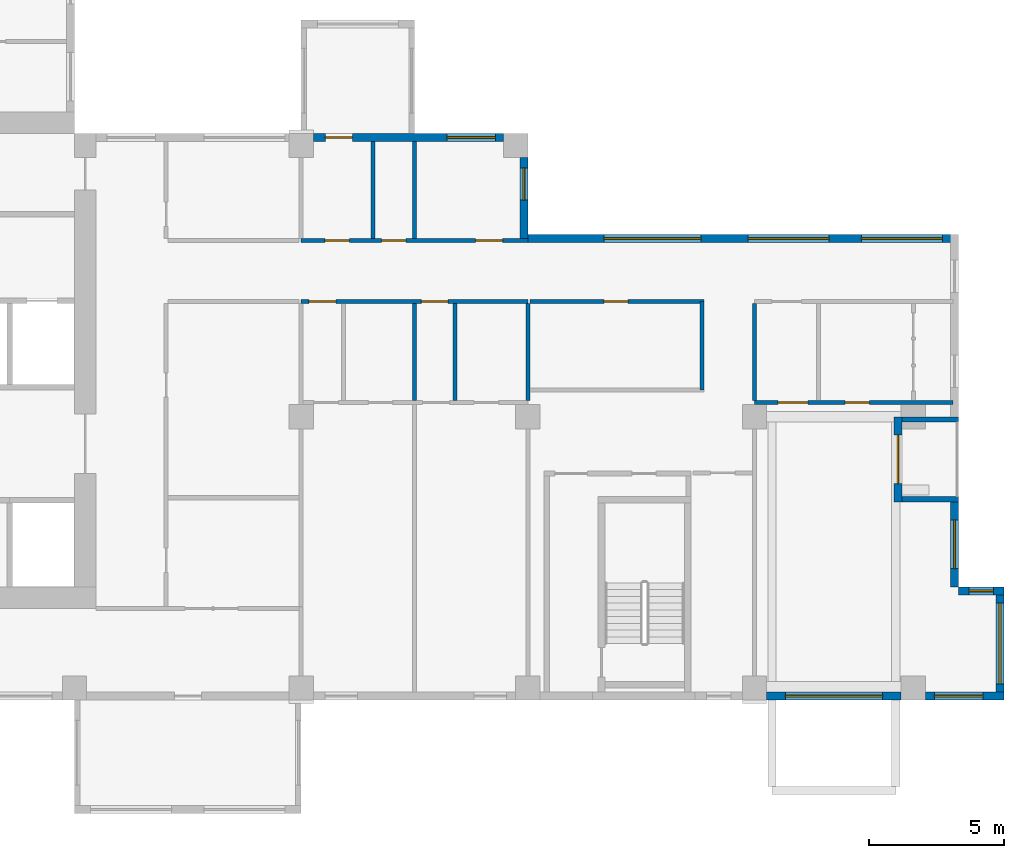
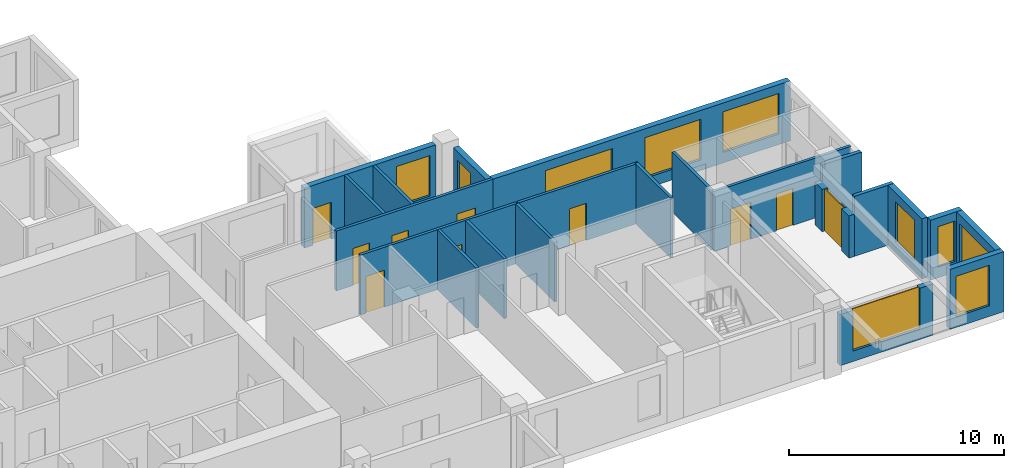
# One storey, part 5 of 12: 22 walls, 10 doors, 10 windows, 20 openings.
"""IFC4 building model written with IfcOpenShell, lengths in metres."""

from ifc_helpers import new_model, si_unit, direction, frame, frame_2d, origin, place, context, subcontext, project, spatial, rectangle, extrude, source, transform, mapped, material, layer, layer_set, type_object, element, fill, save


model = new_model("IFC4")

# Units and contexts
model_context = context("Model", 3, precision=1e-05, world=origin(), true_north=direction((0.0, 1.0)))
body_context = subcontext(model_context, "Body", "Model", "MODEL_VIEW")
ifc_project = project(units=[si_unit("LENGTHUNIT", "METRE"), si_unit("AREAUNIT", "SQUARE_METRE"), si_unit("VOLUMEUNIT", "CUBIC_METRE"), si_unit("PLANEANGLEUNIT", "RADIAN"), si_unit("MASSUNIT", "GRAM", prefix="KILO")], contexts=[model_context])

# Site, building, storey
site_placement = place(None, origin())
site = spatial("IfcSite", under=ifc_project, at=site_placement, CompositionType="ELEMENT")
building_placement = place(site_placement, origin())
building = spatial("IfcBuilding", under=site, at=building_placement, Name="Aurelian Terraces", CompositionType="ELEMENT")
storey_placement = place(building_placement, frame((0.0, 0.0, 219.6)))
storey = spatial("IfcBuildingStorey", under=building, at=storey_placement, Name="L49", CompositionType="ELEMENT", Elevation=219.6)

# Wall, opening, door
ifc_material_1 = material(Name="Terracotta rainscreen cladding", Category="masonry")
ifc_layer_1 = layer(ifc_material_1, 0.3)
ifc_layer_set_1 = layer_set([ifc_layer_1], Name="EW-300")
wall_type_1 = type_object("IfcWallType", Name="EW-300", PredefinedType="STANDARD", material=ifc_layer_set_1)
wall_1_placement = place(storey_placement, frame((51.51, 7.35, 0.0), z_axis=(0.0, 0.0, 1.0), x_axis=(0.0, 1.0, 0.0)))
wall_1 = element("IfcWall", 1, at=wall_1_placement, inside=storey, type_object=wall_type_1, Name="Loggia wall L49 F04.11", PredefinedType="STANDARD", context=body_context, shape_type="SweptSolid", body=[
    extrude(rectangle(XDim=3.15, YDim=0.3, at=frame_2d((1.575, 0.0))), origin(), (0.0, 0.0, 1.0), 2.4),
])
shared_shape_1 = source(origin(), body_context, "Body", "SweptSolid", [
    extrude(rectangle(XDim=1.8, YDim=2.4, at=frame_2d((0.9, 1.2))), frame((0.0, 0.16, 0.0), z_axis=(0.0, -1.0, 0.0), x_axis=(1.0, 0.0, 0.0)), (0.0, 0.0, 1.0), 0.32),
])
opening_1_placement = place(wall_1_placement, frame((0.675, 0.0, 0.0)))
opening_1 = element("IfcOpeningElement", 2, at=opening_1_placement, cuts=wall_1, Name="Opening 84901", PredefinedType="OPENING", context=body_context, shape_type="MappedRepresentation", body=[
    mapped(shared_shape_1, transform((0.0, 0.0, 0.0), scale=1.0)),
])
ifc_material_2 = material(Name="Clear glazing", Category="glass")
door_type_1 = type_object("IfcDoorType", Name="BD-1800x2400", OperationType="SLIDING_TO_LEFT", PredefinedType="DOOR", material=ifc_material_2)
shared_shape_2 = source(origin(), body_context, "Body", "SweptSolid", [
    extrude(rectangle(XDim=1.8, YDim=2.4, at=frame_2d((0.9, 1.2))), frame((0.0, 0.025, 0.0), z_axis=(0.0, -1.0, 0.0), x_axis=(1.0, 0.0, 0.0)), (0.0, 0.0, 1.0), 0.05),
])
door_1_placement = place(opening_1_placement, origin())
door_1 = element("IfcDoor", 3, at=door_1_placement, inside=storey, type_object=door_type_1, Name="Balcony door L49 F04.11", OperationType="SLIDING_TO_LEFT", OverallHeight=2.4, OverallWidth=1.8, PredefinedType="DOOR", context=body_context, shape_type="MappedRepresentation", body=[
    mapped(shared_shape_2, transform((0.0, 0.0, 0.0), scale=1.0)),
])
fill(opening_1, door_1)

# Wall, opening, window
shared_shape_3 = source(origin(), body_context, "Body", "SweptSolid", [
    extrude(rectangle(XDim=2.91, YDim=0.3, at=frame_2d((1.455, 0.0))), origin(), (0.0, 0.0, 1.0), 3.4),
])
wall_2_placement = place(storey_placement, frame((52.53, 0.15, 0.0), z_axis=(0.0, 0.0, 1.0), x_axis=(1.0, 0.0, 0.0)))
wall_2 = element("IfcWall", 4, at=wall_2_placement, inside=storey, type_object=wall_type_1, Name="External wall L49 F01.7", PredefinedType="STANDARD", context=body_context, shape_type="MappedRepresentation", body=[
    mapped(shared_shape_3, transform((0.0, 0.0, 0.0), scale=1.0)),
])
shared_shape_4 = source(origin(), body_context, "Body", "SweptSolid", [
    extrude(rectangle(XDim=1.8, YDim=2.3, at=frame_2d((0.9, 1.15))), frame((0.0, 0.16, 0.0), z_axis=(0.0, -1.0, 0.0), x_axis=(1.0, 0.0, 0.0)), (0.0, 0.0, 1.0), 0.32),
])
opening_2_placement = place(wall_2_placement, frame((0.33, 0.0, 0.6)))
opening_2 = element("IfcOpeningElement", 5, at=opening_2_placement, cuts=wall_2, Name="Opening W1823", PredefinedType="OPENING", context=body_context, shape_type="MappedRepresentation", body=[
    mapped(shared_shape_4, transform((0.0, 0.0, 0.0), scale=1.0)),
])
window_type_1 = type_object("IfcWindowType", Name="W-1800x2300", PartitioningType="SINGLE_PANEL", PredefinedType="WINDOW", material=ifc_material_2)
shared_shape_5 = source(origin(), body_context, "Body", "SweptSolid", [
    extrude(rectangle(XDim=1.8, YDim=2.3, at=frame_2d((0.9, 1.15))), frame((0.0, 0.03, 0.0), z_axis=(0.0, -1.0, 0.0), x_axis=(1.0, 0.0, 0.0)), (0.0, 0.0, 1.0), 0.06),
])
window_1_placement = place(opening_2_placement, origin())
window_1 = element("IfcWindow", 6, at=window_1_placement, inside=storey, type_object=window_type_1, Name="Window L49 L49-F01-07-0", OverallHeight=2.3, OverallWidth=1.8, PartitioningType="SINGLE_PANEL", PredefinedType="WINDOW", context=body_context, shape_type="MappedRepresentation", body=[
    mapped(shared_shape_5, transform((0.0, 0.0, 0.0), scale=1.0)),
])
fill(opening_2, window_1)

shared_shape_6 = source(origin(), body_context, "Body", "SweptSolid", [
    extrude(rectangle(XDim=4.2, YDim=0.3, at=frame_2d((2.1, 0.0))), origin(), (0.0, 0.0, 1.0), 3.4),
])
wall_3_placement = place(storey_placement, frame((55.29, 0.0, 0.0), z_axis=(0.0, 0.0, 1.0), x_axis=(0.0, 1.0, 0.0)))
wall_3 = element("IfcWall", 7, at=wall_3_placement, inside=storey, type_object=wall_type_1, Name="External wall L49 F02.8", PredefinedType="STANDARD", context=body_context, shape_type="MappedRepresentation", body=[
    mapped(shared_shape_6, transform((0.0, 0.0, 0.0), scale=1.0)),
])
shared_shape_7 = source(origin(), body_context, "Body", "SweptSolid", [
    extrude(rectangle(XDim=3.0, YDim=2.3, at=frame_2d((1.5, 1.15))), frame((0.0, 0.16, 0.0), z_axis=(0.0, -1.0, 0.0), x_axis=(1.0, 0.0, 0.0)), (0.0, 0.0, 1.0), 0.32),
])
opening_3_placement = place(wall_3_placement, frame((0.6, 0.0, 0.6)))
opening_3 = element("IfcOpeningElement", 8, at=opening_3_placement, cuts=wall_3, Name="Opening W3023", PredefinedType="OPENING", context=body_context, shape_type="MappedRepresentation", body=[
    mapped(shared_shape_7, transform((0.0, 0.0, 0.0), scale=1.0)),
])
window_type_2 = type_object("IfcWindowType", Name="W-3000x2300", PartitioningType="SINGLE_PANEL", PredefinedType="WINDOW", material=ifc_material_2)
shared_shape_8 = source(origin(), body_context, "Body", "SweptSolid", [
    extrude(rectangle(XDim=3.0, YDim=2.3, at=frame_2d((1.5, 1.15))), frame((0.0, 0.03, 0.0), z_axis=(0.0, -1.0, 0.0), x_axis=(1.0, 0.0, 0.0)), (0.0, 0.0, 1.0), 0.06),
])
window_2_placement = place(opening_3_placement, origin())
window_2 = element("IfcWindow", 9, at=window_2_placement, inside=storey, type_object=window_type_2, Name="Window L49 L49-F02-08-0", OverallHeight=2.3, OverallWidth=3.0, PartitioningType="SINGLE_PANEL", PredefinedType="WINDOW", context=body_context, shape_type="MappedRepresentation", body=[
    mapped(shared_shape_8, transform((0.0, 0.0, 0.0), scale=1.0)),
])
fill(opening_3, window_2)

shared_shape_9 = source(origin(), body_context, "Body", "SweptSolid", [
    extrude(rectangle(XDim=1.68, YDim=0.3, at=frame_2d((0.84, 0.0))), origin(), (0.0, 0.0, 1.0), 3.4),
])
wall_4_placement = place(storey_placement, frame((55.44, 4.05, 0.0), z_axis=(0.0, 0.0, 1.0), x_axis=(-1.0, 0.0, 0.0)))
wall_4 = element("IfcWall", 10, at=wall_4_placement, inside=storey, type_object=wall_type_1, Name="External wall L49 F03.9", PredefinedType="STANDARD", context=body_context, shape_type="MappedRepresentation", body=[
    mapped(shared_shape_9, transform((0.0, 0.0, 0.0), scale=1.0)),
])
shared_shape_10 = source(origin(), body_context, "Body", "SweptSolid", [
    extrude(rectangle(XDim=0.9, YDim=2.3, at=frame_2d((0.45, 1.15))), frame((0.0, 0.16, 0.0), z_axis=(0.0, -1.0, 0.0), x_axis=(1.0, 0.0, 0.0)), (0.0, 0.0, 1.0), 0.32),
])
opening_4_placement = place(wall_4_placement, frame((0.39, 0.0, 0.6)))
opening_4 = element("IfcOpeningElement", 11, at=opening_4_placement, cuts=wall_4, Name="Opening W0923", PredefinedType="OPENING", context=body_context, shape_type="MappedRepresentation", body=[
    mapped(shared_shape_10, transform((0.0, 0.0, 0.0), scale=1.0)),
])
window_type_3 = type_object("IfcWindowType", Name="W-900x2300", PartitioningType="SINGLE_PANEL", PredefinedType="WINDOW", material=ifc_material_2)
shared_shape_11 = source(origin(), body_context, "Body", "SweptSolid", [
    extrude(rectangle(XDim=0.9, YDim=2.3, at=frame_2d((0.45, 1.15))), frame((0.0, 0.03, 0.0), z_axis=(0.0, -1.0, 0.0), x_axis=(1.0, 0.0, 0.0)), (0.0, 0.0, 1.0), 0.06),
])
window_3_placement = place(opening_4_placement, origin())
window_3 = element("IfcWindow", 12, at=window_3_placement, inside=storey, type_object=window_type_3, Name="Window L49 L49-F03-09-P0", OverallHeight=2.3, OverallWidth=0.9, PartitioningType="SINGLE_PANEL", PredefinedType="WINDOW", context=body_context, shape_type="MappedRepresentation", body=[
    mapped(shared_shape_11, transform((0.0, 0.0, 0.0), scale=1.0)),
])
fill(opening_4, window_3)

shared_shape_12 = source(origin(), body_context, "Body", "SweptSolid", [
    extrude(rectangle(XDim=3.0, YDim=0.3, at=frame_2d((1.5, 0.0))), origin(), (0.0, 0.0, 1.0), 3.4),
])
wall_5_placement = place(storey_placement, frame((37.65, 17.1, 0.0), z_axis=(0.0, 0.0, 1.0), x_axis=(0.0, 1.0, 0.0)))
wall_5 = element("IfcWall", 13, at=wall_5_placement, inside=storey, type_object=wall_type_1, Name="External wall L49 F06.14", PredefinedType="STANDARD", context=body_context, shape_type="MappedRepresentation", body=[
    mapped(shared_shape_12, transform((0.0, 0.0, 0.0), scale=1.0)),
])
shared_shape_13 = source(origin(), body_context, "Body", "SweptSolid", [
    extrude(rectangle(XDim=1.2, YDim=2.3, at=frame_2d((0.6, 1.15))), frame((0.0, 0.16, 0.0), z_axis=(0.0, -1.0, 0.0), x_axis=(1.0, 0.0, 0.0)), (0.0, 0.0, 1.0), 0.32),
])
opening_5_placement = place(wall_5_placement, frame((1.425, 0.0, 0.6)))
opening_5 = element("IfcOpeningElement", 14, at=opening_5_placement, cuts=wall_5, Name="Opening W1223", PredefinedType="OPENING", context=body_context, shape_type="MappedRepresentation", body=[
    mapped(shared_shape_13, transform((0.0, 0.0, 0.0), scale=1.0)),
])
window_type_4 = type_object("IfcWindowType", Name="W-1200x2300", PartitioningType="SINGLE_PANEL", PredefinedType="WINDOW", material=ifc_material_2)
shared_shape_14 = source(origin(), body_context, "Body", "SweptSolid", [
    extrude(rectangle(XDim=1.2, YDim=2.3, at=frame_2d((0.6, 1.15))), frame((0.0, 0.03, 0.0), z_axis=(0.0, -1.0, 0.0), x_axis=(1.0, 0.0, 0.0)), (0.0, 0.0, 1.0), 0.06),
])
window_4_placement = place(opening_5_placement, origin())
window_4 = element("IfcWindow", 15, at=window_4_placement, inside=storey, type_object=window_type_4, Name="Window L49 L49-F06-14-0", OverallHeight=2.3, OverallWidth=1.2, PartitioningType="SINGLE_PANEL", PredefinedType="WINDOW", context=body_context, shape_type="MappedRepresentation", body=[
    mapped(shared_shape_14, transform((0.0, 0.0, 0.0), scale=1.0)),
])
fill(opening_5, window_4)

# Wall, openings, window, door
shared_shape_15 = source(origin(), body_context, "Body", "SweptSolid", [
    extrude(rectangle(XDim=7.05, YDim=0.3, at=frame_2d((3.525, 0.0))), origin(), (0.0, 0.0, 1.0), 3.4),
])
wall_6_placement = place(storey_placement, frame((36.9, 20.85, 0.0), z_axis=(0.0, 0.0, 1.0), x_axis=(-1.0, 0.0, 0.0)))
wall_6 = element("IfcWall", 16, at=wall_6_placement, inside=storey, type_object=wall_type_1, Name="External wall L49 F07.15", PredefinedType="STANDARD", context=body_context, shape_type="MappedRepresentation", body=[
    mapped(shared_shape_15, transform((0.0, 0.0, 0.0), scale=1.0)),
])
opening_6_placement = place(wall_6_placement, frame((0.3, 0.0, 0.6)))
opening_6 = element("IfcOpeningElement", 17, at=opening_6_placement, cuts=wall_6, Name="Opening W1823", PredefinedType="OPENING", context=body_context, shape_type="MappedRepresentation", body=[
    mapped(shared_shape_4, transform((0.0, 0.0, 0.0), scale=1.0)),
])
shared_shape_16 = source(origin(), body_context, "Body", "SweptSolid", [
    extrude(rectangle(XDim=1.0, YDim=2.1, at=frame_2d((0.5, 1.05))), frame((0.0, 0.16, 0.0), z_axis=(0.0, -1.0, 0.0), x_axis=(1.0, 0.0, 0.0)), (0.0, 0.0, 1.0), 0.32),
])
opening_7_placement = place(wall_6_placement, frame((5.6, 0.0, 0.0)))
opening_7 = element("IfcOpeningElement", 18, at=opening_7_placement, cuts=wall_6, Name="Opening 849001", PredefinedType="OPENING", context=body_context, shape_type="MappedRepresentation", body=[
    mapped(shared_shape_16, transform((0.0, 0.0, 0.0), scale=1.0)),
])
window_5_placement = place(opening_6_placement, origin())
window_5 = element("IfcWindow", 19, at=window_5_placement, inside=storey, type_object=window_type_1, Name="Window L49 L49-F07-15-0", OverallHeight=2.3, OverallWidth=1.8, PartitioningType="SINGLE_PANEL", PredefinedType="WINDOW", context=body_context, shape_type="MappedRepresentation", body=[
    mapped(shared_shape_5, transform((0.0, 0.0, 0.0), scale=1.0)),
])
fill(opening_6, window_5)
ifc_material_3 = material(Name="Timber door leaf", Category="wood")
door_type_2 = type_object("IfcDoorType", Name="Room door 1000x2100 left", OperationType="SINGLE_SWING_LEFT", PredefinedType="DOOR", material=ifc_material_3)
shared_shape_17 = source(origin(), body_context, "Body", "SweptSolid", [
    extrude(rectangle(XDim=1.0, YDim=2.1, at=frame_2d((0.5, 1.05))), frame((0.0, 0.025, 0.0), z_axis=(0.0, -1.0, 0.0), x_axis=(1.0, 0.0, 0.0)), (0.0, 0.0, 1.0), 0.05),
])
door_2_placement = place(opening_7_placement, origin())
door_2 = element("IfcDoor", 20, at=door_2_placement, inside=storey, type_object=door_type_2, Name="Door 849001", OperationType="SINGLE_SWING_LEFT", OverallHeight=2.1, OverallWidth=1.0, PredefinedType="DOOR", context=body_context, shape_type="MappedRepresentation", body=[
    mapped(shared_shape_17, transform((0.0, 0.0, 0.0), scale=1.0)),
])
fill(opening_7, door_2)

# Wall, opening, window
shared_shape_18 = source(origin(), body_context, "Body", "SweptSolid", [
    extrude(rectangle(XDim=3.15, YDim=0.3, at=frame_2d((1.575, 0.0))), origin(), (0.0, 0.0, 1.0), 3.4),
])
wall_7_placement = place(storey_placement, frame((53.61, 4.2, 0.0), z_axis=(0.0, 0.0, 1.0), x_axis=(0.0, 1.0, 0.0)))
wall_7 = element("IfcWall", 21, at=wall_7_placement, inside=storey, type_object=wall_type_1, Name="External wall L49 F04.10", PredefinedType="STANDARD", context=body_context, shape_type="MappedRepresentation", body=[
    mapped(shared_shape_18, transform((0.0, 0.0, 0.0), scale=1.0)),
])
opening_8_placement = place(wall_7_placement, frame((0.675, 0.0, 0.6)))
opening_8 = element("IfcOpeningElement", 22, at=opening_8_placement, cuts=wall_7, Name="Opening W1823", PredefinedType="OPENING", context=body_context, shape_type="MappedRepresentation", body=[
    mapped(shared_shape_4, transform((0.0, 0.0, 0.0), scale=1.0)),
])
window_6_placement = place(opening_8_placement, origin())
window_6 = element("IfcWindow", 23, at=window_6_placement, inside=storey, type_object=window_type_1, Name="Window L49 L49-F04-10-0", OverallHeight=2.3, OverallWidth=1.8, PartitioningType="SINGLE_PANEL", PredefinedType="WINDOW", context=body_context, shape_type="MappedRepresentation", body=[
    mapped(shared_shape_5, transform((0.0, 0.0, 0.0), scale=1.0)),
])
fill(opening_8, window_6)

shared_shape_19 = source(origin(), body_context, "Body", "SweptSolid", [
    extrude(rectangle(XDim=4.98, YDim=0.3, at=frame_2d((2.49, 0.0))), origin(), (0.0, 0.0, 1.0), 2.9),
])
wall_8_placement = place(storey_placement, frame((46.65, 0.15, 0.0), z_axis=(0.0, 0.0, 1.0), x_axis=(1.0, 0.0, 0.0)))
wall_8 = element("IfcWall", 24, at=wall_8_placement, inside=storey, type_object=wall_type_1, Name="External wall L49 F01.6", PredefinedType="STANDARD", context=body_context, shape_type="MappedRepresentation", body=[
    mapped(shared_shape_19, transform((0.0, 0.0, 0.0), scale=1.0)),
])
shared_shape_20 = source(origin(), body_context, "Body", "SweptSolid", [
    extrude(rectangle(XDim=3.6, YDim=2.3, at=frame_2d((1.8, 1.15))), frame((0.0, 0.16, 0.0), z_axis=(0.0, -1.0, 0.0), x_axis=(1.0, 0.0, 0.0)), (0.0, 0.0, 1.0), 0.32),
])
opening_9_placement = place(wall_8_placement, frame((0.69, 0.0, 0.6)))
opening_9 = element("IfcOpeningElement", 25, at=opening_9_placement, cuts=wall_8, Name="Opening W3623", PredefinedType="OPENING", context=body_context, shape_type="MappedRepresentation", body=[
    mapped(shared_shape_20, transform((0.0, 0.0, 0.0), scale=1.0)),
])
window_type_5 = type_object("IfcWindowType", Name="W-3600x2300", PartitioningType="SINGLE_PANEL", PredefinedType="WINDOW", material=ifc_material_2)
shared_shape_21 = source(origin(), body_context, "Body", "SweptSolid", [
    extrude(rectangle(XDim=3.6, YDim=2.3, at=frame_2d((1.8, 1.15))), frame((0.0, 0.03, 0.0), z_axis=(0.0, -1.0, 0.0), x_axis=(1.0, 0.0, 0.0)), (0.0, 0.0, 1.0), 0.06),
])
window_7_placement = place(opening_9_placement, origin())
window_7 = element("IfcWindow", 26, at=window_7_placement, inside=storey, type_object=window_type_5, Name="Window L49 L49-F01-06-0", OverallHeight=2.3, OverallWidth=3.6, PartitioningType="SINGLE_PANEL", PredefinedType="WINDOW", context=body_context, shape_type="MappedRepresentation", body=[
    mapped(shared_shape_21, transform((0.0, 0.0, 0.0), scale=1.0)),
])
fill(opening_9, window_7)

# Walls
ifc_layer_2 = layer(ifc_material_1, 0.2)
ifc_layer_set_2 = layer_set([ifc_layer_2], Name="EW-200")
wall_type_2 = type_object("IfcWallType", Name="EW-200", PredefinedType="STANDARD", material=ifc_layer_set_2)
shared_shape_22 = source(origin(), body_context, "Body", "SweptSolid", [
    extrude(rectangle(XDim=2.1, YDim=0.2, at=frame_2d((1.05, 0.0))), origin(), (0.0, 0.0, 1.0), 3.4),
])
for number, where, z_axis, x_axis, name in (
    (27, (53.76, 7.45, 0.0), (0.0, 0.0, 1.0), (-1.0, 0.0, 0.0), "Loggia return L49 F04.11.1"),
    (28, (53.76, 10.4, 0.0), (0.0, 0.0, 1.0), (-1.0, 0.0, 0.0), "Loggia return L49 F04.11.2"),
):
    element("IfcWall", number, at=place(storey_placement, frame(where, z_axis=z_axis, x_axis=x_axis)), inside=storey, type_object=wall_type_2, Name=name, PredefinedType="STANDARD", context=body_context, shape_type="MappedRepresentation", body=[
        mapped(shared_shape_22, transform((0.0, 0.0, 0.0), scale=1.0)),
    ])

# Wall, openings, windows
shared_shape_23 = source(origin(), body_context, "Body", "SweptSolid", [
    extrude(rectangle(XDim=15.96, YDim=0.3, at=frame_2d((7.98, 0.0))), origin(), (0.0, 0.0, 1.0), 3.4),
])
wall_9_placement = place(storey_placement, frame((53.76, 17.1, 0.0), z_axis=(0.0, 0.0, 1.0), x_axis=(-1.0, 0.0, 0.0)))
wall_9 = element("IfcWall", 29, at=wall_9_placement, inside=storey, type_object=wall_type_1, Name="External wall L49 F05.13", PredefinedType="STANDARD", context=body_context, shape_type="MappedRepresentation", body=[
    mapped(shared_shape_23, transform((0.0, 0.0, 0.0), scale=1.0)),
])
opening_10_placement = place(wall_9_placement, frame((0.6, 0.0, 0.6)))
opening_10 = element("IfcOpeningElement", 30, at=opening_10_placement, cuts=wall_9, Name="Opening W3023", PredefinedType="OPENING", context=body_context, shape_type="MappedRepresentation", body=[
    mapped(shared_shape_7, transform((0.0, 0.0, 0.0), scale=1.0)),
])
opening_11_placement = place(wall_9_placement, frame((4.8, 0.0, 0.6)))
opening_11 = element("IfcOpeningElement", 31, at=opening_11_placement, cuts=wall_9, Name="Opening W3023", PredefinedType="OPENING", context=body_context, shape_type="MappedRepresentation", body=[
    mapped(shared_shape_7, transform((0.0, 0.0, 0.0), scale=1.0)),
])
opening_12_placement = place(wall_9_placement, frame((9.54, 0.0, 0.6)))
opening_12 = element("IfcOpeningElement", 32, at=opening_12_placement, cuts=wall_9, Name="Opening W3623", PredefinedType="OPENING", context=body_context, shape_type="MappedRepresentation", body=[
    mapped(shared_shape_20, transform((0.0, 0.0, 0.0), scale=1.0)),
])
window_8_placement = place(opening_12_placement, origin())
window_8 = element("IfcWindow", 33, at=window_8_placement, inside=storey, type_object=window_type_5, Name="Window L49 L49-F05-13-2", OverallHeight=2.3, OverallWidth=3.6, PartitioningType="SINGLE_PANEL", PredefinedType="WINDOW", context=body_context, shape_type="MappedRepresentation", body=[
    mapped(shared_shape_21, transform((0.0, 0.0, 0.0), scale=1.0)),
])
fill(opening_12, window_8)
window_9_placement = place(opening_10_placement, origin())
window_9 = element("IfcWindow", 34, at=window_9_placement, inside=storey, type_object=window_type_2, Name="Window L49 L49-F05-13-0", OverallHeight=2.3, OverallWidth=3.0, PartitioningType="SINGLE_PANEL", PredefinedType="WINDOW", context=body_context, shape_type="MappedRepresentation", body=[
    mapped(shared_shape_8, transform((0.0, 0.0, 0.0), scale=1.0)),
])
fill(opening_10, window_9)
window_10_placement = place(opening_11_placement, origin())
window_10 = element("IfcWindow", 35, at=window_10_placement, inside=storey, type_object=window_type_2, Name="Window L49 L49-F05-13-1", OverallHeight=2.3, OverallWidth=3.0, PartitioningType="SINGLE_PANEL", PredefinedType="WINDOW", context=body_context, shape_type="MappedRepresentation", body=[
    mapped(shared_shape_8, transform((0.0, 0.0, 0.0), scale=1.0)),
])
fill(opening_11, window_10)

# Wall, opening, door
ifc_material_4 = material(Name="Gypsum board on steel studs", Category="steel")
ifc_layer_3 = layer(ifc_material_4, 0.15)
ifc_layer_set_3 = layer_set([ifc_layer_3], Name="Fire partition 150")
wall_type_3 = type_object("IfcWallType", Name="Fire partition 150", PredefinedType="PARTITIONING", material=ifc_layer_set_3)
shared_shape_24 = source(origin(), body_context, "Body", "SweptSolid", [
    extrude(rectangle(XDim=6.45, YDim=0.15, at=frame_2d((3.225, 0.0))), origin(), (0.0, 0.0, 1.0), 3.4),
])
wall_10_placement = place(storey_placement, frame((44.325, 14.775, 0.0), z_axis=(0.0, 0.0, 1.0), x_axis=(-1.0, 0.0, 0.0)))
wall_10 = element("IfcWall", 36, at=wall_10_placement, inside=storey, type_object=wall_type_3, Name="Corridor wall", PredefinedType="PARTITIONING", context=body_context, shape_type="MappedRepresentation", body=[
    mapped(shared_shape_24, transform((0.0, 0.0, 0.0), scale=1.0)),
])
shared_shape_25 = source(origin(), body_context, "Body", "SweptSolid", [
    extrude(rectangle(XDim=0.9, YDim=2.1, at=frame_2d((0.45, 1.05))), frame((0.0, 0.085, 0.0), z_axis=(0.0, -1.0, 0.0), x_axis=(1.0, 0.0, 0.0)), (0.0, 0.0, 1.0), 0.17),
])
opening_13_placement = place(wall_10_placement, frame((2.8125, 0.0, 0.0)))
opening_13 = element("IfcOpeningElement", 37, at=opening_13_placement, cuts=wall_10, Name="Opening 749005", PredefinedType="OPENING", context=body_context, shape_type="MappedRepresentation", body=[
    mapped(shared_shape_25, transform((0.0, 0.0, 0.0), scale=1.0)),
])
door_type_3 = type_object("IfcDoorType", Name="Room door 900x2100 right", OperationType="SINGLE_SWING_RIGHT", PredefinedType="DOOR", material=ifc_material_3)
shared_shape_26 = source(origin(), body_context, "Body", "SweptSolid", [
    extrude(rectangle(XDim=0.9, YDim=2.1, at=frame_2d((0.45, 1.05))), frame((0.0, 0.025, 0.0), z_axis=(0.0, -1.0, 0.0), x_axis=(1.0, 0.0, 0.0)), (0.0, 0.0, 1.0), 0.05),
])
door_3_placement = place(opening_13_placement, origin())
door_3 = element("IfcDoor", 38, at=door_3_placement, inside=storey, type_object=door_type_3, Name="Door 749005", OperationType="SINGLE_SWING_RIGHT", OverallHeight=2.1, OverallWidth=0.9, PredefinedType="DOOR", context=body_context, shape_type="MappedRepresentation", body=[
    mapped(shared_shape_26, transform((0.0, 0.0, 0.0), scale=1.0)),
])
fill(opening_13, door_3)

# Walls
ifc_layer_4 = layer(ifc_material_4, 0.15)
ifc_layer_set_4 = layer_set([ifc_layer_4], Name="Partition 150")
wall_type_4 = type_object("IfcWallType", Name="Partition 150", PredefinedType="PARTITIONING", material=ifc_layer_set_4)
shared_shape_27 = source(origin(), body_context, "Body", "SweptSolid", [
    extrude(rectangle(XDim=3.6, YDim=0.15, at=frame_2d((1.8, 0.0))), origin(), (0.0, 0.0, 1.0), 3.4),
])
for number, where, z_axis, x_axis, name in (
    (39, (33.6, 11.1, 0.0), (0.0, 0.0, 1.0), (0.0, 1.0, 0.0), "Partition"),
    (40, (35.1, 11.1, 0.0), (0.0, 0.0, 1.0), (0.0, 1.0, 0.0), "Partition"),
):
    element("IfcWall", number, at=place(storey_placement, frame(where, z_axis=z_axis, x_axis=x_axis)), inside=storey, type_object=wall_type_4, Name=name, PredefinedType="PARTITIONING", context=body_context, shape_type="MappedRepresentation", body=[
        mapped(shared_shape_27, transform((0.0, 0.0, 0.0), scale=1.0)),
    ])
for number, where, z_axis, x_axis, name in (
    (41, (37.8, 11.1, 0.0), (0.0, 0.0, 1.0), (0.0, 1.0, 0.0), "Party wall"),
    (42, (46.2, 11.1, 0.0), (0.0, 0.0, 1.0), (0.0, 1.0, 0.0), "Party wall"),
):
    element("IfcWall", number, at=place(storey_placement, frame(where, z_axis=z_axis, x_axis=x_axis)), inside=storey, type_object=wall_type_3, Name=name, PredefinedType="PARTITIONING", context=body_context, shape_type="MappedRepresentation", body=[
        mapped(shared_shape_27, transform((0.0, 0.0, 0.0), scale=1.0)),
    ])
wall_11_placement = place(storey_placement, frame((32.067, 20.7, 0.0), z_axis=(0.0, 0.0, 1.0), x_axis=(0.0, -1.0, 0.0)))
element("IfcWall", 43, at=wall_11_placement, inside=storey, type_object=wall_type_4, Name="Partition", PredefinedType="PARTITIONING", context=body_context, shape_type="MappedRepresentation", body=[
    mapped(shared_shape_27, transform((0.0, 0.0, 0.0), scale=1.0)),
])
wall_12_placement = place(storey_placement, frame((33.6, 17.1, 0.0), z_axis=(0.0, 0.0, 1.0), x_axis=(0.0, 1.0, 0.0)))
element("IfcWall", 44, at=wall_12_placement, inside=storey, type_object=wall_type_3, Name="Party wall", PredefinedType="PARTITIONING", context=body_context, shape_type="MappedRepresentation", body=[
    mapped(shared_shape_27, transform((0.0, 0.0, 0.0), scale=1.0)),
])

# Wall, openings, doors
shared_shape_28 = source(origin(), body_context, "Body", "SweptSolid", [
    extrude(rectangle(XDim=8.4, YDim=0.15, at=frame_2d((4.2, 0.0))), origin(), (0.0, 0.0, 1.0), 3.4),
])
wall_13_placement = place(storey_placement, frame((37.8, 14.775, 0.0), z_axis=(0.0, 0.0, 1.0), x_axis=(-1.0, 0.0, 0.0)))
wall_13 = element("IfcWall", 45, at=wall_13_placement, inside=storey, type_object=wall_type_3, Name="Corridor wall", PredefinedType="PARTITIONING", context=body_context, shape_type="MappedRepresentation", body=[
    mapped(shared_shape_28, transform((0.0, 0.0, 0.0), scale=1.0)),
])
shared_shape_29 = source(origin(), body_context, "Body", "SweptSolid", [
    extrude(rectangle(XDim=1.0, YDim=2.1, at=frame_2d((0.5, 1.05))), frame((0.0, 0.085, 0.0), z_axis=(0.0, -1.0, 0.0), x_axis=(1.0, 0.0, 0.0)), (0.0, 0.0, 1.0), 0.17),
])
opening_14_placement = place(wall_13_placement, frame((7.1125, 0.0, 0.0)))
opening_14 = element("IfcOpeningElement", 46, at=opening_14_placement, cuts=wall_13, Name="Opening 749007", PredefinedType="OPENING", context=body_context, shape_type="MappedRepresentation", body=[
    mapped(shared_shape_29, transform((0.0, 0.0, 0.0), scale=1.0)),
])
opening_15_placement = place(wall_13_placement, frame((2.95, 0.0, 0.0)))
opening_15 = element("IfcOpeningElement", 47, at=opening_15_placement, cuts=wall_13, Name="Opening 749010", PredefinedType="OPENING", context=body_context, shape_type="MappedRepresentation", body=[
    mapped(shared_shape_29, transform((0.0, 0.0, 0.0), scale=1.0)),
])
ifc_material_5 = material(Name="Steel door leaf", Category="steel")
door_type_4 = type_object("IfcDoorType", Name="Entrance fire door 1000x2100 left", OperationType="SINGLE_SWING_LEFT", PredefinedType="DOOR", material=ifc_material_5)
door_4_placement = place(opening_14_placement, origin())
door_4 = element("IfcDoor", 48, at=door_4_placement, inside=storey, type_object=door_type_4, Name="Door 749007", OperationType="SINGLE_SWING_LEFT", OverallHeight=2.1, OverallWidth=1.0, PredefinedType="DOOR", context=body_context, shape_type="MappedRepresentation", body=[
    mapped(shared_shape_17, transform((0.0, 0.0, 0.0), scale=1.0)),
])
fill(opening_14, door_4)
door_type_5 = type_object("IfcDoorType", Name="Entrance fire door 1000x2100 right", OperationType="SINGLE_SWING_RIGHT", PredefinedType="DOOR", material=ifc_material_5)
door_5_placement = place(opening_15_placement, origin())
door_5 = element("IfcDoor", 49, at=door_5_placement, inside=storey, type_object=door_type_5, Name="Door 749010", OperationType="SINGLE_SWING_RIGHT", OverallHeight=2.1, OverallWidth=1.0, PredefinedType="DOOR", context=body_context, shape_type="MappedRepresentation", body=[
    mapped(shared_shape_17, transform((0.0, 0.0, 0.0), scale=1.0)),
])
fill(opening_15, door_5)

wall_14_placement = place(storey_placement, frame((29.4, 17.025, 0.0), z_axis=(0.0, 0.0, 1.0), x_axis=(1.0, 0.0, 0.0)))
wall_14 = element("IfcWall", 50, at=wall_14_placement, inside=storey, type_object=wall_type_3, Name="Corridor wall", PredefinedType="PARTITIONING", context=body_context, shape_type="MappedRepresentation", body=[
    mapped(shared_shape_28, transform((0.0, 0.0, 0.0), scale=1.0)),
])
opening_16_placement = place(wall_14_placement, frame((0.8835, 0.0, 0.0)))
opening_16 = element("IfcOpeningElement", 51, at=opening_16_placement, cuts=wall_14, Name="Opening 749016", PredefinedType="OPENING", context=body_context, shape_type="MappedRepresentation", body=[
    mapped(shared_shape_25, transform((0.0, 0.0, 0.0), scale=1.0)),
])
opening_17_placement = place(wall_14_placement, frame((2.9835, 0.0, 0.0)))
opening_17 = element("IfcOpeningElement", 52, at=opening_17_placement, cuts=wall_14, Name="Opening 749017", PredefinedType="OPENING", context=body_context, shape_type="MappedRepresentation", body=[
    mapped(shared_shape_25, transform((0.0, 0.0, 0.0), scale=1.0)),
])
opening_18_placement = place(wall_14_placement, frame((6.4625, 0.0, 0.0)))
opening_18 = element("IfcOpeningElement", 53, at=opening_18_placement, cuts=wall_14, Name="Opening 749018", PredefinedType="OPENING", context=body_context, shape_type="MappedRepresentation", body=[
    mapped(shared_shape_29, transform((0.0, 0.0, 0.0), scale=1.0)),
])
door_6_placement = place(opening_18_placement, origin())
door_6 = element("IfcDoor", 54, at=door_6_placement, inside=storey, type_object=door_type_4, Name="Door 749018", OperationType="SINGLE_SWING_LEFT", OverallHeight=2.1, OverallWidth=1.0, PredefinedType="DOOR", context=body_context, shape_type="MappedRepresentation", body=[
    mapped(shared_shape_17, transform((0.0, 0.0, 0.0), scale=1.0)),
])
fill(opening_18, door_6)
door_type_6 = type_object("IfcDoorType", Name="Entrance fire door 900x2100 left", OperationType="SINGLE_SWING_LEFT", PredefinedType="DOOR", material=ifc_material_5)
door_7_placement = place(opening_16_placement, origin())
door_7 = element("IfcDoor", 55, at=door_7_placement, inside=storey, type_object=door_type_6, Name="Door 749016", OperationType="SINGLE_SWING_LEFT", OverallHeight=2.1, OverallWidth=0.9, PredefinedType="DOOR", context=body_context, shape_type="MappedRepresentation", body=[
    mapped(shared_shape_26, transform((0.0, 0.0, 0.0), scale=1.0)),
])
fill(opening_16, door_7)
door_type_7 = type_object("IfcDoorType", Name="Entrance fire door 900x2100 right", OperationType="SINGLE_SWING_RIGHT", PredefinedType="DOOR", material=ifc_material_5)
door_8_placement = place(opening_17_placement, origin())
door_8 = element("IfcDoor", 56, at=door_8_placement, inside=storey, type_object=door_type_7, Name="Door 749017", OperationType="SINGLE_SWING_RIGHT", OverallHeight=2.1, OverallWidth=0.9, PredefinedType="DOOR", context=body_context, shape_type="MappedRepresentation", body=[
    mapped(shared_shape_26, transform((0.0, 0.0, 0.0), scale=1.0)),
])
fill(opening_17, door_8)

shared_shape_30 = source(origin(), body_context, "Body", "SweptSolid", [
    extrude(rectangle(XDim=7.355, YDim=0.15, at=frame_2d((3.6775, 0.0))), origin(), (0.0, 0.0, 1.0), 3.4),
])
wall_15_placement = place(storey_placement, frame((53.555, 11.025, 0.0), z_axis=(0.0, 0.0, 1.0), x_axis=(-1.0, 0.0, 0.0)))
wall_15 = element("IfcWall", 57, at=wall_15_placement, inside=storey, type_object=wall_type_4, Name="Partition", PredefinedType="PARTITIONING", context=body_context, shape_type="MappedRepresentation", body=[
    mapped(shared_shape_30, transform((0.0, 0.0, 0.0), scale=1.0)),
])
shared_shape_31 = source(origin(), body_context, "Body", "SweptSolid", [
    extrude(rectangle(XDim=1.1, YDim=2.1, at=frame_2d((0.55, 1.05))), frame((0.0, 0.085, 0.0), z_axis=(0.0, -1.0, 0.0), x_axis=(1.0, 0.0, 0.0)), (0.0, 0.0, 1.0), 0.17),
])
opening_19_placement = place(wall_15_placement, frame((5.3803, 0.0, 0.0)))
opening_19 = element("IfcOpeningElement", 58, at=opening_19_placement, cuts=wall_15, Name="Opening 749014", PredefinedType="OPENING", context=body_context, shape_type="MappedRepresentation", body=[
    mapped(shared_shape_31, transform((0.0, 0.0, 0.0), scale=1.0)),
])
opening_20_placement = place(wall_15_placement, frame((3.1056, 0.0, 0.0)))
opening_20 = element("IfcOpeningElement", 59, at=opening_20_placement, cuts=wall_15, Name="Opening 749015", PredefinedType="OPENING", context=body_context, shape_type="MappedRepresentation", body=[
    mapped(shared_shape_25, transform((0.0, 0.0, 0.0), scale=1.0)),
])
door_type_8 = type_object("IfcDoorType", Name="Room door 900x2100 left", OperationType="SINGLE_SWING_LEFT", PredefinedType="DOOR", material=ifc_material_3)
door_9_placement = place(opening_20_placement, origin())
door_9 = element("IfcDoor", 60, at=door_9_placement, inside=storey, type_object=door_type_8, Name="Door 749015", OperationType="SINGLE_SWING_LEFT", OverallHeight=2.1, OverallWidth=0.9, PredefinedType="DOOR", context=body_context, shape_type="MappedRepresentation", body=[
    mapped(shared_shape_26, transform((0.0, 0.0, 0.0), scale=1.0)),
])
fill(opening_20, door_9)
door_type_9 = type_object("IfcDoorType", Name="Room door 1100x2100 right", OperationType="SINGLE_SWING_RIGHT", PredefinedType="DOOR", material=ifc_material_3)
shared_shape_32 = source(origin(), body_context, "Body", "SweptSolid", [
    extrude(rectangle(XDim=1.1, YDim=2.1, at=frame_2d((0.55, 1.05))), frame((0.0, 0.025, 0.0), z_axis=(0.0, -1.0, 0.0), x_axis=(1.0, 0.0, 0.0)), (0.0, 0.0, 1.0), 0.05),
])
door_10_placement = place(opening_19_placement, origin())
door_10 = element("IfcDoor", 61, at=door_10_placement, inside=storey, type_object=door_type_9, Name="Door 749014", OperationType="SINGLE_SWING_RIGHT", OverallHeight=2.1, OverallWidth=1.1, PredefinedType="DOOR", context=body_context, shape_type="MappedRepresentation", body=[
    mapped(shared_shape_32, transform((0.0, 0.0, 0.0), scale=1.0)),
])
fill(opening_19, door_10)

# Wall
shared_shape_33 = source(origin(), body_context, "Body", "SweptSolid", [
    extrude(rectangle(XDim=3.275, YDim=0.15, at=frame_2d((1.6375, 0.0))), origin(), (0.0, 0.0, 1.0), 3.4),
])
wall_16_placement = place(storey_placement, frame((44.25, 11.5, 0.0), z_axis=(0.0, 0.0, 1.0), x_axis=(0.0, 1.0, 0.0)))
element("IfcWall", 62, at=wall_16_placement, inside=storey, type_object=wall_type_4, Name="Partition", PredefinedType="PARTITIONING", context=body_context, shape_type="MappedRepresentation", body=[
    mapped(shared_shape_33, transform((0.0, 0.0, 0.0), scale=1.0)),
])

save(model, "model.ifc")
